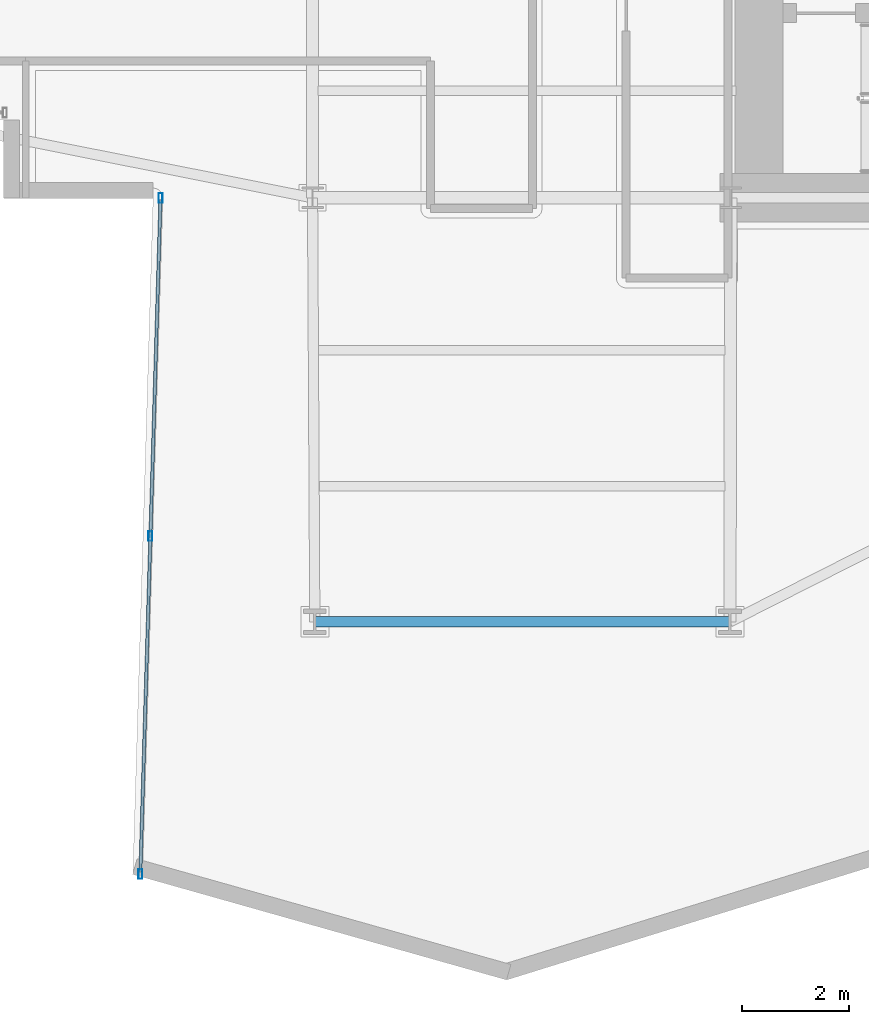
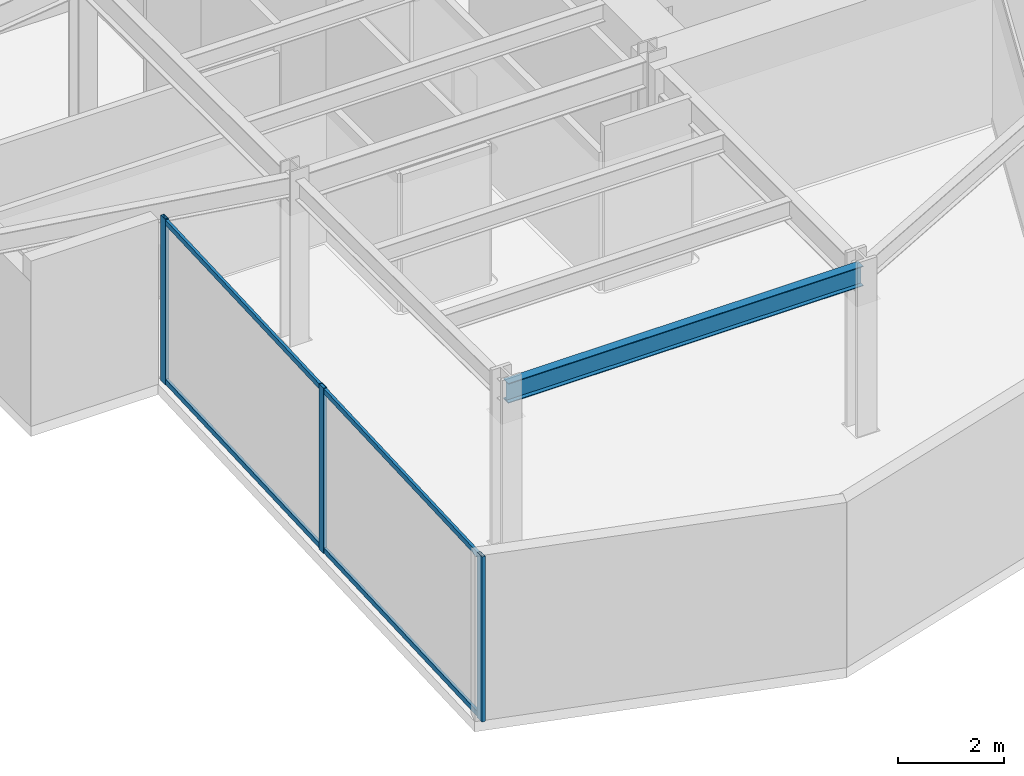
# One storey, part 4 of 30: 5 members, 1 beam, 1 element without a shape of its own.
"""IFC4 building model written with IfcOpenShell, lengths in metres."""

import ifcopenshell
import ifcopenshell.guid

model = None  # the IFC model being written
_history = None  # IfcOwnerHistory: only IFC2X3 demands one
_inside = {}  # id of a spatial element -> (the spatial element, [elements in it])
_under = {}  # id of a project, library or spatial element -> (it, [spatial elements below it])
_declared = {}  # id of a project -> (the project, [libraries it declares])
_typed = {}  # id of a type object -> (the type object, [elements of that type])
_made_of = {}  # id of a material, layer set ... -> (it, [elements and type objects made of it])


def new_model(schema):
    """Start an empty IFC model of exactly this schema.

    Asked for "IFC4X3", IfcOpenShell would pick the latest addendum, in which some entities
    have other attributes; the version numbers below select the first issue.
    IFC2X3 requires an IfcOwnerHistory on every rooted entity: one is made here for all.
    """
    global model, _history
    if schema == "IFC4X3":
        model = ifcopenshell.file(schema_version=(4, 3, 0, 0))
    else:
        model = ifcopenshell.file(schema=schema)
    _inside.clear()
    _under.clear()
    _declared.clear()
    _typed.clear()
    _made_of.clear()
    _history = None
    if model.schema == "IFC2X3":
        org = make("IfcOrganization", Name="unknown")
        user = make(
            "IfcPersonAndOrganization",
            ThePerson=make("IfcPerson", FamilyName="unknown"),
            TheOrganization=org,
        )
        app = make(
            "IfcApplication",
            ApplicationDeveloper=org,
            Version="unknown",
            ApplicationFullName="unknown",
            ApplicationIdentifier="unknown",
        )
        _history = make(
            "IfcOwnerHistory",
            OwningUser=user,
            OwningApplication=app,
            ChangeAction="ADDED",
            CreationDate=0,
        )
    return model


def make(cls, **values):
    """One entity of the class cls with the attributes given. An attribute that is None is left unset."""
    return model.create_entity(
        cls, **{name: value for name, value in values.items() if value is not None}
    )


def rooted(cls, **values):
    """An entity with a GlobalId (a new one), such as an element, a storey or a relation."""
    return make(cls, GlobalId=ifcopenshell.guid.new(), OwnerHistory=_history, **values)


def si_unit(unit_type, name, prefix=None):
    """IfcSIUnit, for example si_unit("LENGTHUNIT", "METRE", prefix="MILLI")."""
    return make("IfcSIUnit", UnitType=unit_type, Prefix=prefix, Name=name)


def assignment(units):
    """IfcUnitAssignment: the units of a project."""
    return None if units is None else make("IfcUnitAssignment", Units=units)


def point(xyz):
    """IfcCartesianPoint."""
    return None if xyz is None else make("IfcCartesianPoint", Coordinates=xyz)


def direction(xyz):
    """IfcDirection."""
    return None if xyz is None else make("IfcDirection", DirectionRatios=xyz)


def frame(location, z_axis=None, x_axis=None):
    """IfcAxis2Placement3D, a coordinate frame: its origin and axes. An axis left out is left unset."""
    return make(
        "IfcAxis2Placement3D",
        Location=point(location),
        Axis=direction(z_axis),
        RefDirection=direction(x_axis),
    )


def frame_2d(location, x_axis=None):
    """IfcAxis2Placement2D, a coordinate frame in the plane: its origin and x axis."""
    return make(
        "IfcAxis2Placement2D", Location=point(location), RefDirection=direction(x_axis)
    )


def origin():
    """The frame at (0, 0, 0) with its axes left unset."""
    return frame((0.0, 0.0, 0.0))


def origin_2d():
    """The frame at (0, 0) in the plane with its x axis left unset."""
    return frame_2d((0.0, 0.0))


def place(relative_to, where):
    """IfcLocalPlacement: puts the frame where relative to a parent placement (None: the world)."""
    return make(
        "IfcLocalPlacement", PlacementRelTo=relative_to, RelativePlacement=where
    )


def context(
    kind, dimensions, precision=None, world=None, true_north=None, identifier=None
):
    """IfcGeometricRepresentationContext, for example the 3D "Model" context."""
    return make(
        "IfcGeometricRepresentationContext",
        ContextIdentifier=identifier,
        ContextType=kind,
        CoordinateSpaceDimension=dimensions,
        Precision=precision,
        WorldCoordinateSystem=world,
        TrueNorth=true_north,
    )


def subcontext(parent, identifier, kind, view, scale=None):
    """IfcGeometricRepresentationSubContext, for example "Body" below "Model"."""
    return make(
        "IfcGeometricRepresentationSubContext",
        ContextIdentifier=identifier,
        ContextType=kind,
        ParentContext=parent,
        TargetScale=scale,
        TargetView=view,
    )


def project(units=None, contexts=None):
    """IfcProject with its units and contexts."""
    return rooted(
        "IfcProject",
        Name="project",
        RepresentationContexts=contexts,
        UnitsInContext=assignment(units),
    )


def spatial(cls, under=None, at=None, **own):
    """A site, building, storey or space (cls), placed at a placement, below another one or the project."""
    s = rooted(cls, ObjectPlacement=at, **own)
    if under is not None:
        _under.setdefault(under.id(), (under, []))[1].append(s)
    return s


def profile(cls, at=None, kind="AREA", **sizes):
    """A parametric profile (cls). Its sizes go by their IFC names, for example OverallWidth=200.0."""
    return make(cls, ProfileType=kind, Position=at, **sizes)


def hollow_rectangle(**sizes):
    """IfcRectangleHollowProfileDef."""
    return profile("IfcRectangleHollowProfileDef", **sizes)


def i_section(**sizes):
    """IfcIShapeProfileDef."""
    return profile("IfcIShapeProfileDef", **sizes)


def extrude(swept, where, along, depth):
    """IfcExtrudedAreaSolid: the profile swept, set in the frame where, extruded along a direction by depth."""
    return make(
        "IfcExtrudedAreaSolid",
        SweptArea=swept,
        Position=where,
        ExtrudedDirection=direction(along),
        Depth=depth,
    )


def shape(context_of_items, identifier, shape_type, items):
    """IfcShapeRepresentation: the items that make up one representation, for example the "Body"."""
    return make(
        "IfcShapeRepresentation",
        ContextOfItems=context_of_items,
        RepresentationIdentifier=identifier,
        RepresentationType=shape_type,
        Items=items,
    )


def material(Name=None, Category=None):
    """IfcMaterial."""
    return make("IfcMaterial", Name=Name, Category=Category)


def layer(
    of_material, thickness, ventilated=None, Name=None, Category=None, Priority=None
):
    """IfcMaterialLayer: one layer of a wall or slab, of a material (None: an air gap)."""
    return make(
        "IfcMaterialLayer",
        Material=of_material,
        LayerThickness=thickness,
        IsVentilated=ventilated,
        Name=Name,
        Category=Category,
        Priority=Priority,
    )


def layer_set(layers, Name=None):
    """IfcMaterialLayerSet."""
    return make("IfcMaterialLayerSet", MaterialLayers=layers, LayerSetName=Name)


def material_profile(
    of_material, cross_section, Name=None, Category=None, Priority=None
):
    """IfcMaterialProfile: a cross section and its material."""
    return make(
        "IfcMaterialProfile",
        Name=Name,
        Material=of_material,
        Profile=cross_section,
        Priority=Priority,
        Category=Category,
    )


def profile_set(profiles, Name=None, composite=None):
    """IfcMaterialProfileSet."""
    return make(
        "IfcMaterialProfileSet",
        Name=Name,
        MaterialProfiles=profiles,
        CompositeProfile=composite,
    )


def made_of(thing, what):
    """Note that an element or type object is made of a material, layer set ...; save() writes the relation."""
    if what is not None:
        _made_of.setdefault(what.id(), (what, []))[1].append(thing)
    return thing


def type_object(cls, material=None, **own):
    """A type object (cls), such as IfcWallType, which elements share."""
    return made_of(rooted(cls, **own), material)


def element(
    cls,
    number,
    at=None,
    inside=None,
    cuts=None,
    type_object=None,
    material=None,
    context=None,
    identifier="Body",
    shape_type=None,
    held_by="IfcProductDefinitionShape",
    body=None,
    shapes=None,
    **own,
):
    """One element of the class cls, such as IfcWall. Its Tag is "e" and its number.

    at: its placement. inside: the storey or other place that contains it. cuts: it is an
    opening in that element (IfcRelVoidsElement). A single representation is given by context,
    identifier, shape_type and body (its items); several are given by shapes. held_by: the class
    of the entity that holds the representations. save() writes the other relations.
    """
    e = rooted(cls, Tag="e%d" % number, ObjectPlacement=at, **own)
    if body is not None:
        shapes = [shape(context, identifier, shape_type, body)]
    if shapes is not None:
        e.Representation = make(held_by, Representations=shapes)
    if inside is not None:
        _inside.setdefault(inside.id(), (inside, []))[1].append(e)
    if cuts is not None:
        rooted(
            "IfcRelVoidsElement", RelatingBuildingElement=cuts, RelatedOpeningElement=e
        )
    if type_object is not None:
        _typed.setdefault(type_object.id(), (type_object, []))[1].append(e)
    return made_of(e, material)


def aggregate(whole, parts):
    """IfcRelAggregates: a whole, such as a stair, and the parts it consists of."""
    return rooted("IfcRelAggregates", RelatingObject=whole, RelatedObjects=parts)


def save(model, path):
    """Write the relations noted so far, then the file.

    IfcRelAggregates (storeys below a building ...), IfcRelContainedInSpatialStructure (elements
    in a storey), IfcRelDefinesByType, IfcRelAssociatesMaterial and IfcRelDeclares: one each for
    every whole, place, type object, material and project.
    """
    for whole, parts in _under.values():
        aggregate(whole, parts)
    for where, things in _inside.values():
        rooted(
            "IfcRelContainedInSpatialStructure",
            RelatedElements=things,
            RelatingStructure=where,
        )
    for kind, things in _typed.values():
        rooted("IfcRelDefinesByType", RelatedObjects=things, RelatingType=kind)
    for what, things in _made_of.values():
        rooted("IfcRelAssociatesMaterial", RelatedObjects=things, RelatingMaterial=what)
    for by, libraries in _declared.values():
        rooted("IfcRelDeclares", RelatingContext=by, RelatedDefinitions=libraries)
    model.write(path)


model = new_model("IFC4")

# Units and contexts
model_context = context("Model", 3, precision=1e-05, world=origin(), true_north=direction((0.0, 1.0)))
body_context = subcontext(model_context, "Body", "Model", "MODEL_VIEW")
ifc_project = project(units=[si_unit("LENGTHUNIT", "METRE"), si_unit("AREAUNIT", "SQUARE_METRE"), si_unit("VOLUMEUNIT", "CUBIC_METRE"), si_unit("PLANEANGLEUNIT", "RADIAN"), si_unit("MASSUNIT", "GRAM", prefix="KILO")], contexts=[model_context])

# Site, building, storey
site_placement = place(None, origin())
site = spatial("IfcSite", under=ifc_project, at=site_placement, CompositionType="ELEMENT")
building_placement = place(site_placement, origin())
building = spatial("IfcBuilding", under=site, at=building_placement, Name="Veymaron Broadcast Tower", CompositionType="ELEMENT")
storey_placement = place(building_placement, frame((0.0, 0.0, 37.800048828125)))
storey = spatial("IfcBuildingStorey", under=building, at=storey_placement, Name="L07", CompositionType="ELEMENT", Elevation=37.800048828125)

# Beam
ifc_material_1 = material(Name="Structural steel ASTM A992 Gr 50", Category="steel")
ifc_material_profile_1 = material_profile(ifc_material_1, i_section(OverallWidth=0.19091796875, OverallDepth=0.4599609375, WebThickness=0.010009765625, FlangeThickness=0.01611328125, at=origin_2d()), Name="W460X82")
ifc_profile_set_1 = profile_set([ifc_material_profile_1], Name="Structural steel ASTM A992 Gr 50")
beam_type = type_object("IfcBeamType", Name="BM-SP1", PredefinedType="SPANDREL", material=ifc_profile_set_1)
beam_placement = place(storey_placement, frame((31.241943359375, 8.090087890625, 3.579833984375), z_axis=(1.0, 0.0, 0.0), x_axis=(0.0, 1.0, 0.0)))
element("IfcBeam", 1, at=beam_placement, inside=storey, type_object=beam_type, Name="L07 primary structural floor girder", PredefinedType="SPANDREL", context=body_context, shape_type="SweptSolid", body=[
    extrude(i_section(OverallWidth=0.19091796875, OverallDepth=0.4599609375, WebThickness=0.010009765625, FlangeThickness=0.01611328125, at=origin_2d()), origin(), (0.0, 0.0, 1.0), 7.7431640625),
])

# Curtain wall, members
ifc_material_2 = material(Name="Anodised aluminium AA 6063-T6 and laminated low-E dark glass", Category="aluminium")
ifc_layer = layer(ifc_material_2, 0.179931640625)
ifc_layer_set = layer_set([ifc_layer], Name="Anodised aluminium AA 6063-T6 and laminated low-E dark glass")
curtain_wall_type = type_object("IfcCurtainWallType", Name="CW-SYS-02", PredefinedType="NOTDEFINED", material=ifc_layer_set)
curtain_wall_placement = place(storey_placement, origin())
curtain_wall = element("IfcCurtainWall", 2, at=curtain_wall_placement, inside=storey, type_object=curtain_wall_type, Name="L07 dark-glass curtain wall CW-L07-E17-1", PredefinedType="NOTDEFINED")
ifc_material_3 = material(Name="Anodised aluminium AA 6063-T6", Category="aluminium")
ifc_material_profile_2 = material_profile(ifc_material_3, hollow_rectangle(XDim=0.074951171875, YDim=0.179931640625, WallThickness=0.0048828125, at=origin_2d()), Name="AL180X75X5")
ifc_profile_set_2 = profile_set([ifc_material_profile_2], Name="Anodised aluminium AA 6063-T6")
member_type_1 = type_object("IfcMemberType", Name="CW-MUL-02", PredefinedType="MULLION", material=ifc_profile_set_2)
member_1_placement = place(storey_placement, frame((28.364013671875, 15.995849609375, 0.0), z_axis=(0.0, 0.0, 1.0), x_axis=(1.0, 0.0, 0.0)))
member_1 = element("IfcMember", 3, at=member_1_placement, type_object=member_type_1, Name="CW-L07-E17-1 mullion 0", PredefinedType="MULLION", context=body_context, shape_type="SweptSolid", body=[
    extrude(hollow_rectangle(XDim=0.074951171875, YDim=0.179931640625, WallThickness=0.0048828125, at=origin_2d()), origin(), (0.0, 0.0, 1.0), 3.81005859375),
])
member_2_placement = place(storey_placement, frame((28.175537109375, 9.690185546875, 0.0), z_axis=(0.0, 0.0, 1.0), x_axis=(1.0, 0.0, 0.0)))
member_2 = element("IfcMember", 4, at=member_2_placement, type_object=member_type_1, Name="CW-L07-E17-1 mullion 1", PredefinedType="MULLION", context=body_context, shape_type="SweptSolid", body=[
    extrude(hollow_rectangle(XDim=0.074951171875, YDim=0.179931640625, WallThickness=0.0048828125, at=origin_2d()), origin(), (0.0, 0.0, 1.0), 3.81005859375),
])
member_3_placement = place(storey_placement, frame((27.9873046875, 3.384765625, 0.0), z_axis=(0.0, 0.0, 1.0), x_axis=(1.0, 0.0, 0.0)))
member_3 = element("IfcMember", 5, at=member_3_placement, type_object=member_type_1, Name="CW-L07-E17-1 mullion 2", PredefinedType="MULLION", context=body_context, shape_type="SweptSolid", body=[
    extrude(hollow_rectangle(XDim=0.074951171875, YDim=0.179931640625, WallThickness=0.0048828125, at=origin_2d()), origin(), (0.0, 0.0, 1.0), 3.81005859375),
])
ifc_material_profile_3 = material_profile(ifc_material_3, hollow_rectangle(XDim=0.06005859375, YDim=0.1201171875, WallThickness=0.00390625, at=origin_2d()), Name="AL120X60X4")
ifc_profile_set_3 = profile_set([ifc_material_profile_3], Name="Anodised aluminium AA 6063-T6")
member_type_2 = type_object("IfcMemberType", Name="CW-TRN-02", PredefinedType="USERDEFINED", material=ifc_profile_set_3)
member_4_placement = place(storey_placement, frame((28.362548828125, 15.94580078125, 0.070068359375), z_axis=(-0.029862760986, -0.999554008299, 0.0), x_axis=(0.999554008299, -0.029862760986, 0.0)))
member_4 = element("IfcMember", 6, at=member_4_placement, type_object=member_type_2, Name="CW-L07-E17-1 transom B", ObjectType="TRANSOM", PredefinedType="USERDEFINED", context=body_context, shape_type="SweptSolid", body=[
    extrude(hollow_rectangle(XDim=0.06005859375, YDim=0.1201171875, WallThickness=0.00390625, at=origin_2d()), origin(), (0.0, 0.0, 1.0), 12.5166015625),
])
member_5_placement = place(storey_placement, frame((28.362548828125, 15.94580078125, 3.739990234375), z_axis=(-0.029862760986, -0.999554008299, 0.0), x_axis=(0.999554008299, -0.029862760986, 0.0)))
member_5 = element("IfcMember", 7, at=member_5_placement, type_object=member_type_2, Name="CW-L07-E17-1 transom T", ObjectType="TRANSOM", PredefinedType="USERDEFINED", context=body_context, shape_type="SweptSolid", body=[
    extrude(hollow_rectangle(XDim=0.06005859375, YDim=0.1201171875, WallThickness=0.00390625, at=origin_2d()), origin(), (0.0, 0.0, 1.0), 12.5166015625),
])
aggregate(curtain_wall, [member_1, member_2, member_3, member_4, member_5])

save(model, "model.ifc")
